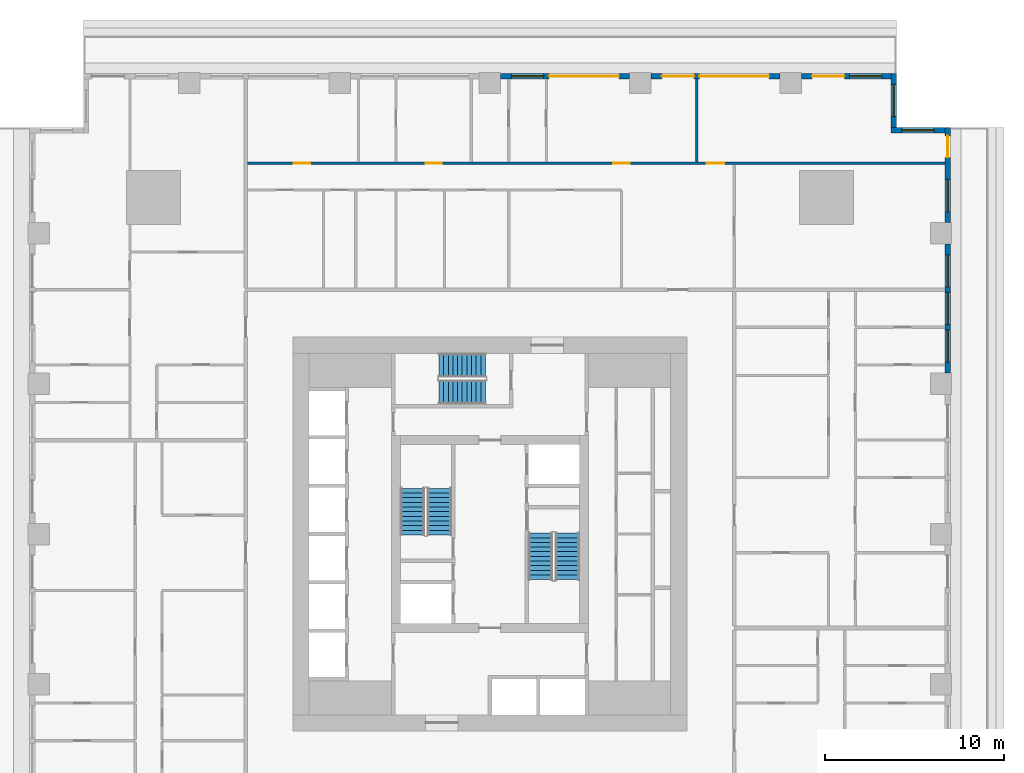
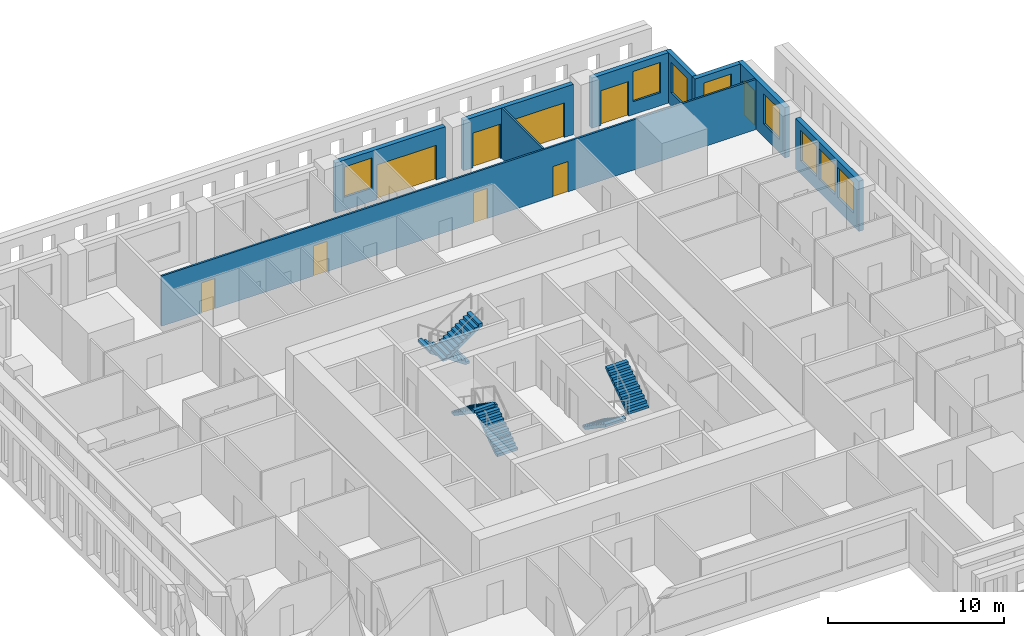
# One storey, part 9 of 14: 9 doors, 9 walls, 8 windows, 6 stair flights, 17 openings, 3 elements without a shape of their own.
"""IFC4 building model written with IfcOpenShell, lengths in metres."""

from ifc_helpers import new_model, si_unit, direction, frame, frame_2d, origin, place, context, subcontext, project, spatial, polyline, rectangle, outline, extrude, material, layer, layer_set, type_object, element, fill, aggregate, save


model = new_model("IFC4")

# Units and contexts
model_context = context("Model", 3, precision=1e-05, world=origin(), true_north=direction((0.0, 1.0)))
body_context = subcontext(model_context, "Body", "Model", "MODEL_VIEW")
ifc_project = project(units=[si_unit("LENGTHUNIT", "METRE"), si_unit("AREAUNIT", "SQUARE_METRE"), si_unit("VOLUMEUNIT", "CUBIC_METRE"), si_unit("PLANEANGLEUNIT", "RADIAN"), si_unit("MASSUNIT", "GRAM", prefix="KILO")], contexts=[model_context])

# Site, building, storey
site_placement = place(None, origin())
site = spatial("IfcSite", under=ifc_project, at=site_placement, CompositionType="ELEMENT")
building_placement = place(site_placement, origin())
building = spatial("IfcBuilding", under=site, at=building_placement, Name="Khepri Terraces", CompositionType="ELEMENT")
storey_placement = place(building_placement, frame((0.0, 0.0, 62.10009765625)))
storey = spatial("IfcBuildingStorey", under=building, at=storey_placement, Name="L14", CompositionType="ELEMENT", Elevation=62.10009765625)

# Wall, openings, windows
ifc_material_1 = material(Name="Precast concrete C50/60 warm stone", Category="masonry")
ifc_layer_1 = layer(ifc_material_1, 0.300048828125, Name="Precast concrete C50/60 warm stone", Category="masonry")
ifc_layer_set_1 = layer_set([ifc_layer_1], Name="Precast concrete C50/60 warm stone")
wall_type_1 = type_object("IfcWallType", Name="WL-EXT-PRECAST-300", PredefinedType="STANDARD", material=ifc_layer_set_1)
wall_1_placement = place(storey_placement, frame((25.570068359375, 9.0, 0.0), z_axis=(0.0, 0.0, 1.0), x_axis=(0.0, 1.0, 0.0)))
wall_1 = element("IfcWall", 1, at=wall_1_placement, inside=storey, type_object=wall_type_1, Name="External wall L14 E", PredefinedType="STANDARD", context=body_context, shape_type="SweptSolid", body=[
    extrude(rectangle(XDim=7.199951171875, YDim=0.300048828125, at=frame_2d((3.60009765625, 0.0))), origin(), (0.0, 0.0, 1.0), 3.47998046875),
])
opening_1_placement = place(wall_1_placement, frame((0.60009765625, 0.0, 0.89990234375)))
opening_1 = element("IfcOpeningElement", 2, at=opening_1_placement, cuts=wall_1, Name="Opening W1", PredefinedType="OPENING", context=body_context, shape_type="SweptSolid", body=[
    extrude(rectangle(XDim=1.800048828125, YDim=2.10009765625, at=frame_2d((0.89990234375, 1.050048828125))), frame((0.0, 0.16015625, 0.0), z_axis=(0.0, -1.0, 0.0), x_axis=(1.0, 0.0, 0.0)), (0.0, 0.0, 1.0), 0.320068359375),
])
opening_2_placement = place(wall_1_placement, frame((2.699951171875, 0.0, 0.89990234375)))
opening_2 = element("IfcOpeningElement", 3, at=opening_2_placement, cuts=wall_1, Name="Opening W1", PredefinedType="OPENING", context=body_context, shape_type="SweptSolid", body=[
    extrude(rectangle(XDim=1.800048828125, YDim=2.10009765625, at=frame_2d((0.89990234375, 1.050048828125))), frame((0.0, 0.16015625, 0.0), z_axis=(0.0, -1.0, 0.0), x_axis=(1.0, 0.0, 0.0)), (0.0, 0.0, 1.0), 0.320068359375),
])
opening_3_placement = place(wall_1_placement, frame((4.800048828125, 0.0, 0.89990234375)))
opening_3 = element("IfcOpeningElement", 4, at=opening_3_placement, cuts=wall_1, Name="Opening W1", PredefinedType="OPENING", context=body_context, shape_type="SweptSolid", body=[
    extrude(rectangle(XDim=1.800048828125, YDim=2.10009765625, at=frame_2d((0.89990234375, 1.050048828125))), frame((0.0, 0.16015625, 0.0), z_axis=(0.0, -1.0, 0.0), x_axis=(1.0, 0.0, 0.0)), (0.0, 0.0, 1.0), 0.320068359375),
])
ifc_material_2 = material(Name="Clear glass", Category="glass")
window_type = type_object("IfcWindowType", Name="WIN-RES-1800x2100", PartitioningType="SINGLE_PANEL", PredefinedType="WINDOW", material=ifc_material_2)
window_1_placement = place(opening_1_placement, origin())
window_1 = element("IfcWindow", 5, at=window_1_placement, inside=storey, type_object=window_type, Name="Window L14 E", OverallHeight=2.10009765625, OverallWidth=1.800048828125, PartitioningType="SINGLE_PANEL", PredefinedType="WINDOW", context=body_context, shape_type="SweptSolid", body=[
    extrude(rectangle(XDim=1.800048828125, YDim=2.10009765625, at=frame_2d((0.89990234375, 1.050048828125))), frame((0.0, 0.030029296875, 0.0), z_axis=(0.0, -1.0, 0.0), x_axis=(1.0, 0.0, 0.0)), (0.0, 0.0, 1.0), 0.06005859375),
])
fill(opening_1, window_1)
window_2_placement = place(opening_2_placement, origin())
window_2 = element("IfcWindow", 6, at=window_2_placement, inside=storey, type_object=window_type, Name="Window L14 E", OverallHeight=2.10009765625, OverallWidth=1.800048828125, PartitioningType="SINGLE_PANEL", PredefinedType="WINDOW", context=body_context, shape_type="SweptSolid", body=[
    extrude(rectangle(XDim=1.800048828125, YDim=2.10009765625, at=frame_2d((0.89990234375, 1.050048828125))), frame((0.0, 0.030029296875, 0.0), z_axis=(0.0, -1.0, 0.0), x_axis=(1.0, 0.0, 0.0)), (0.0, 0.0, 1.0), 0.06005859375),
])
fill(opening_2, window_2)
window_3_placement = place(opening_3_placement, origin())
window_3 = element("IfcWindow", 7, at=window_3_placement, inside=storey, type_object=window_type, Name="Window L14 E", OverallHeight=2.10009765625, OverallWidth=1.800048828125, PartitioningType="SINGLE_PANEL", PredefinedType="WINDOW", context=body_context, shape_type="SweptSolid", body=[
    extrude(rectangle(XDim=1.800048828125, YDim=2.10009765625, at=frame_2d((0.89990234375, 1.050048828125))), frame((0.0, 0.030029296875, 0.0), z_axis=(0.0, -1.0, 0.0), x_axis=(1.0, 0.0, 0.0)), (0.0, 0.0, 1.0), 0.06005859375),
])
fill(opening_3, window_3)

# Wall, openings, door, window
wall_2_placement = place(storey_placement, frame((25.570068359375, 17.39990234375, 0.0), z_axis=(0.0, 0.0, 1.0), x_axis=(0.0, 1.0, 0.0)))
wall_2 = element("IfcWall", 8, at=wall_2_placement, inside=storey, type_object=wall_type_1, Name="External wall L14 E", PredefinedType="STANDARD", context=body_context, shape_type="SweptSolid", body=[
    extrude(rectangle(XDim=5.320068359375, YDim=0.300048828125, at=frame_2d((2.66015625, 0.0))), origin(), (0.0, 0.0, 1.0), 3.47998046875),
])
opening_4_placement = place(wall_2_placement, frame((0.60009765625, 0.0, 0.89990234375)))
opening_4 = element("IfcOpeningElement", 9, at=opening_4_placement, cuts=wall_2, Name="Opening W1", PredefinedType="OPENING", context=body_context, shape_type="SweptSolid", body=[
    extrude(rectangle(XDim=1.800048828125, YDim=2.10009765625, at=frame_2d((0.89990234375, 1.050048828125))), frame((0.0, 0.16015625, 0.0), z_axis=(0.0, -1.0, 0.0), x_axis=(1.0, 0.0, 0.0)), (0.0, 0.0, 1.0), 0.320068359375),
])
opening_5_placement = place(wall_2_placement, frame((3.64501953125, 0.0, 0.0)))
opening_5 = element("IfcOpeningElement", 10, at=opening_5_placement, cuts=wall_2, Name="Opening ED-L14-06", PredefinedType="OPENING", context=body_context, shape_type="SweptSolid", body=[
    extrude(rectangle(XDim=1.199951171875, YDim=2.39990234375, at=frame_2d((0.60009765625, 1.199951171875))), frame((0.0, 0.16015625, 0.0), z_axis=(0.0, -1.0, 0.0), x_axis=(1.0, 0.0, 0.0)), (0.0, 0.0, 1.0), 0.320068359375),
])
ifc_material_3 = material(Name="Anodised aluminium bronze glazed door", Category="aluminium")
door_type_1 = type_object("IfcDoorType", Name="DR-BAL-SLIDE-1200x2400", OperationType="NOTDEFINED", PredefinedType="DOOR", material=ifc_material_3)
door_1_placement = place(opening_5_placement, origin())
door_1 = element("IfcDoor", 11, at=door_1_placement, inside=storey, type_object=door_type_1, Name="Balcony door L14 E", OperationType="SLIDING_TO_RIGHT", OverallHeight=2.39990234375, OverallWidth=1.199951171875, PredefinedType="DOOR", context=body_context, shape_type="SweptSolid", body=[
    extrude(rectangle(XDim=1.199951171875, YDim=2.39990234375, at=frame_2d((0.60009765625, 1.199951171875))), frame((0.0, 0.02490234375, 0.0), z_axis=(0.0, -1.0, 0.0), x_axis=(1.0, 0.0, 0.0)), (0.0, 0.0, 1.0), 0.050048828125),
])
fill(opening_5, door_1)
window_4_placement = place(opening_4_placement, origin())
window_4 = element("IfcWindow", 12, at=window_4_placement, inside=storey, type_object=window_type, Name="Window L14 E", OverallHeight=2.10009765625, OverallWidth=1.800048828125, PartitioningType="SINGLE_PANEL", PredefinedType="WINDOW", context=body_context, shape_type="SweptSolid", body=[
    extrude(rectangle(XDim=1.800048828125, YDim=2.10009765625, at=frame_2d((0.89990234375, 1.050048828125))), frame((0.0, 0.030029296875, 0.0), z_axis=(0.0, -1.0, 0.0), x_axis=(1.0, 0.0, 0.0)), (0.0, 0.0, 1.0), 0.06005859375),
])
fill(opening_4, window_4)

# Wall, opening, window
wall_3_placement = place(storey_placement, frame((25.419921875, 22.570068359375, 0.0), z_axis=(0.0, 0.0, 1.0), x_axis=(-1.0, 0.0, 0.0)))
wall_3 = element("IfcWall", 13, at=wall_3_placement, inside=storey, type_object=wall_type_1, Name="External wall L14 N", PredefinedType="STANDARD", context=body_context, shape_type="SweptSolid", body=[
    extrude(rectangle(XDim=3.0, YDim=0.300048828125, at=frame_2d((1.5, 0.0))), origin(), (0.0, 0.0, 1.0), 3.47998046875),
])
opening_6_placement = place(wall_3_placement, frame((0.60009765625, 0.0, 0.89990234375)))
opening_6 = element("IfcOpeningElement", 14, at=opening_6_placement, cuts=wall_3, Name="Opening W1", PredefinedType="OPENING", context=body_context, shape_type="SweptSolid", body=[
    extrude(rectangle(XDim=1.800048828125, YDim=2.10009765625, at=frame_2d((0.89990234375, 1.050048828125))), frame((0.0, 0.16015625, 0.0), z_axis=(0.0, -1.0, 0.0), x_axis=(1.0, 0.0, 0.0)), (0.0, 0.0, 1.0), 0.320068359375),
])
window_5_placement = place(opening_6_placement, origin())
window_5 = element("IfcWindow", 15, at=window_5_placement, inside=storey, type_object=window_type, Name="Window L14 N", OverallHeight=2.10009765625, OverallWidth=1.800048828125, PartitioningType="SINGLE_PANEL", PredefinedType="WINDOW", context=body_context, shape_type="SweptSolid", body=[
    extrude(rectangle(XDim=1.800048828125, YDim=2.10009765625, at=frame_2d((0.89990234375, 1.050048828125))), frame((0.0, 0.030029296875, 0.0), z_axis=(0.0, -1.0, 0.0), x_axis=(1.0, 0.0, 0.0)), (0.0, 0.0, 1.0), 0.06005859375),
])
fill(opening_6, window_5)

wall_4_placement = place(storey_placement, frame((22.570068359375, 22.719970703125, 0.0), z_axis=(0.0, 0.0, 1.0), x_axis=(0.0, 1.0, 0.0)))
wall_4 = element("IfcWall", 16, at=wall_4_placement, inside=storey, type_object=wall_type_1, Name="External wall L14 E", PredefinedType="STANDARD", context=body_context, shape_type="SweptSolid", body=[
    extrude(rectangle(XDim=3.0, YDim=0.300048828125, at=frame_2d((1.5, 0.0))), origin(), (0.0, 0.0, 1.0), 3.47998046875),
])
opening_7_placement = place(wall_4_placement, frame((0.60009765625, 0.0, 0.89990234375)))
opening_7 = element("IfcOpeningElement", 17, at=opening_7_placement, cuts=wall_4, Name="Opening W1", PredefinedType="OPENING", context=body_context, shape_type="SweptSolid", body=[
    extrude(rectangle(XDim=1.800048828125, YDim=2.10009765625, at=frame_2d((0.89990234375, 1.050048828125))), frame((0.0, 0.16015625, 0.0), z_axis=(0.0, -1.0, 0.0), x_axis=(1.0, 0.0, 0.0)), (0.0, 0.0, 1.0), 0.320068359375),
])
window_6_placement = place(opening_7_placement, origin())
window_6 = element("IfcWindow", 18, at=window_6_placement, inside=storey, type_object=window_type, Name="Window L14 E", OverallHeight=2.10009765625, OverallWidth=1.800048828125, PartitioningType="SINGLE_PANEL", PredefinedType="WINDOW", context=body_context, shape_type="SweptSolid", body=[
    extrude(rectangle(XDim=1.800048828125, YDim=2.10009765625, at=frame_2d((0.89990234375, 1.050048828125))), frame((0.0, 0.030029296875, 0.0), z_axis=(0.0, -1.0, 0.0), x_axis=(1.0, 0.0, 0.0)), (0.0, 0.0, 1.0), 0.06005859375),
])
fill(opening_7, window_6)

# Wall, openings, door, window
wall_5_placement = place(storey_placement, frame((22.419921875, 25.570068359375, 0.0), z_axis=(0.0, 0.0, 1.0), x_axis=(-1.0, 0.0, 0.0)))
wall_5 = element("IfcWall", 19, at=wall_5_placement, inside=storey, type_object=wall_type_1, Name="External wall L14 N", PredefinedType="STANDARD", context=body_context, shape_type="SweptSolid", body=[
    extrude(rectangle(XDim=5.02001953125, YDim=0.300048828125, at=frame_2d((2.510009765625, 0.0))), origin(), (0.0, 0.0, 1.0), 3.47998046875),
])
opening_8_placement = place(wall_5_placement, frame((0.52001953125, 0.0, 0.89990234375)))
opening_8 = element("IfcOpeningElement", 20, at=opening_8_placement, cuts=wall_5, Name="Opening W1", PredefinedType="OPENING", context=body_context, shape_type="SweptSolid", body=[
    extrude(rectangle(XDim=1.800048828125, YDim=2.10009765625, at=frame_2d((0.89990234375, 1.050048828125))), frame((0.0, 0.16015625, 0.0), z_axis=(0.0, -1.0, 0.0), x_axis=(1.0, 0.0, 0.0)), (0.0, 0.0, 1.0), 0.320068359375),
])
opening_9_placement = place(wall_5_placement, frame((2.6201171875, 0.0, 0.0)))
opening_9 = element("IfcOpeningElement", 21, at=opening_9_placement, cuts=wall_5, Name="Opening ED-L14-07", PredefinedType="OPENING", context=body_context, shape_type="SweptSolid", body=[
    extrude(rectangle(XDim=1.800048828125, YDim=2.39990234375, at=frame_2d((0.89990234375, 1.199951171875))), frame((0.0, 0.16015625, 0.0), z_axis=(0.0, -1.0, 0.0), x_axis=(1.0, 0.0, 0.0)), (0.0, 0.0, 1.0), 0.320068359375),
])
door_type_2 = type_object("IfcDoorType", Name="DR-BAL-SLIDE-1800x2400", OperationType="NOTDEFINED", PredefinedType="DOOR", material=ifc_material_3)
door_2_placement = place(opening_9_placement, origin())
door_2 = element("IfcDoor", 22, at=door_2_placement, inside=storey, type_object=door_type_2, Name="Balcony door L14 N", OperationType="SLIDING_TO_RIGHT", OverallHeight=2.39990234375, OverallWidth=1.800048828125, PredefinedType="DOOR", context=body_context, shape_type="SweptSolid", body=[
    extrude(rectangle(XDim=1.800048828125, YDim=2.39990234375, at=frame_2d((0.89990234375, 1.199951171875))), frame((0.0, 0.02490234375, 0.0), z_axis=(0.0, -1.0, 0.0), x_axis=(1.0, 0.0, 0.0)), (0.0, 0.0, 1.0), 0.050048828125),
])
fill(opening_9, door_2)
window_7_placement = place(opening_8_placement, origin())
window_7 = element("IfcWindow", 23, at=window_7_placement, inside=storey, type_object=window_type, Name="Window L14 N", OverallHeight=2.10009765625, OverallWidth=1.800048828125, PartitioningType="SINGLE_PANEL", PredefinedType="WINDOW", context=body_context, shape_type="SweptSolid", body=[
    extrude(rectangle(XDim=1.800048828125, YDim=2.10009765625, at=frame_2d((0.89990234375, 1.050048828125))), frame((0.0, 0.030029296875, 0.0), z_axis=(0.0, -1.0, 0.0), x_axis=(1.0, 0.0, 0.0)), (0.0, 0.0, 1.0), 0.06005859375),
])
fill(opening_8, window_7)

# Wall, openings, doors
wall_6_placement = place(storey_placement, frame((16.199951171875, 25.570068359375, 0.0), z_axis=(0.0, 0.0, 1.0), x_axis=(-1.0, 0.0, 0.0)))
wall_6 = element("IfcWall", 24, at=wall_6_placement, inside=storey, type_object=wall_type_1, Name="External wall L14 N", PredefinedType="STANDARD", context=body_context, shape_type="SweptSolid", body=[
    extrude(rectangle(XDim=7.199951171875, YDim=0.300048828125, at=frame_2d((3.60009765625, 0.0))), origin(), (0.0, 0.0, 1.0), 3.47998046875),
])
opening_10_placement = place(wall_6_placement, frame((0.60009765625, 0.0, 0.0)))
opening_10 = element("IfcOpeningElement", 25, at=opening_10_placement, cuts=wall_6, Name="Opening ED-L14-08", PredefinedType="OPENING", context=body_context, shape_type="SweptSolid", body=[
    extrude(rectangle(XDim=3.89990234375, YDim=2.39990234375, at=frame_2d((1.949951171875, 1.199951171875))), frame((0.0, 0.16015625, 0.0), z_axis=(0.0, -1.0, 0.0), x_axis=(1.0, 0.0, 0.0)), (0.0, 0.0, 1.0), 0.320068359375),
])
opening_11_placement = place(wall_6_placement, frame((4.800048828125, 0.0, 0.0)))
opening_11 = element("IfcOpeningElement", 26, at=opening_11_placement, cuts=wall_6, Name="Opening ED-L14-09", PredefinedType="OPENING", context=body_context, shape_type="SweptSolid", body=[
    extrude(rectangle(XDim=1.800048828125, YDim=2.39990234375, at=frame_2d((0.89990234375, 1.199951171875))), frame((0.0, 0.16015625, 0.0), z_axis=(0.0, -1.0, 0.0), x_axis=(1.0, 0.0, 0.0)), (0.0, 0.0, 1.0), 0.320068359375),
])
door_3_placement = place(opening_11_placement, origin())
door_3 = element("IfcDoor", 27, at=door_3_placement, inside=storey, type_object=door_type_2, Name="Balcony door L14 N", OperationType="SLIDING_TO_RIGHT", OverallHeight=2.39990234375, OverallWidth=1.800048828125, PredefinedType="DOOR", context=body_context, shape_type="SweptSolid", body=[
    extrude(rectangle(XDim=1.800048828125, YDim=2.39990234375, at=frame_2d((0.89990234375, 1.199951171875))), frame((0.0, 0.02490234375, 0.0), z_axis=(0.0, -1.0, 0.0), x_axis=(1.0, 0.0, 0.0)), (0.0, 0.0, 1.0), 0.050048828125),
])
fill(opening_11, door_3)
door_type_3 = type_object("IfcDoorType", Name="DR-BAL-SLIDE-3900x2400", OperationType="NOTDEFINED", PredefinedType="DOOR", material=ifc_material_3)
door_4_placement = place(opening_10_placement, origin())
door_4 = element("IfcDoor", 28, at=door_4_placement, inside=storey, type_object=door_type_3, Name="Balcony door L14 N", OperationType="SLIDING_TO_LEFT", OverallHeight=2.39990234375, OverallWidth=3.89990234375, PredefinedType="DOOR", context=body_context, shape_type="SweptSolid", body=[
    extrude(rectangle(XDim=3.89990234375, YDim=2.39990234375, at=frame_2d((1.949951171875, 1.199951171875))), frame((0.0, 0.02490234375, 0.0), z_axis=(0.0, -1.0, 0.0), x_axis=(1.0, 0.0, 0.0)), (0.0, 0.0, 1.0), 0.050048828125),
])
fill(opening_10, door_4)

# Wall, openings, door, window
wall_7_placement = place(storey_placement, frame((7.800048828125, 25.570068359375, 0.0), z_axis=(0.0, 0.0, 1.0), x_axis=(-1.0, 0.0, 0.0)))
wall_7 = element("IfcWall", 29, at=wall_7_placement, inside=storey, type_object=wall_type_1, Name="External wall L14 N", PredefinedType="STANDARD", context=body_context, shape_type="SweptSolid", body=[
    extrude(rectangle(XDim=7.199951171875, YDim=0.300048828125, at=frame_2d((3.60009765625, 0.0))), origin(), (0.0, 0.0, 1.0), 3.47998046875),
])
opening_12_placement = place(wall_7_placement, frame((0.60009765625, 0.0, 0.0)))
opening_12 = element("IfcOpeningElement", 30, at=opening_12_placement, cuts=wall_7, Name="Opening ED-L14-10", PredefinedType="OPENING", context=body_context, shape_type="SweptSolid", body=[
    extrude(rectangle(XDim=3.89990234375, YDim=2.39990234375, at=frame_2d((1.949951171875, 1.199951171875))), frame((0.0, 0.16015625, 0.0), z_axis=(0.0, -1.0, 0.0), x_axis=(1.0, 0.0, 0.0)), (0.0, 0.0, 1.0), 0.320068359375),
])
opening_13_placement = place(wall_7_placement, frame((4.800048828125, 0.0, 0.89990234375)))
opening_13 = element("IfcOpeningElement", 31, at=opening_13_placement, cuts=wall_7, Name="Opening W1", PredefinedType="OPENING", context=body_context, shape_type="SweptSolid", body=[
    extrude(rectangle(XDim=1.800048828125, YDim=2.10009765625, at=frame_2d((0.89990234375, 1.050048828125))), frame((0.0, 0.16015625, 0.0), z_axis=(0.0, -1.0, 0.0), x_axis=(1.0, 0.0, 0.0)), (0.0, 0.0, 1.0), 0.320068359375),
])
door_5_placement = place(opening_12_placement, origin())
door_5 = element("IfcDoor", 32, at=door_5_placement, inside=storey, type_object=door_type_3, Name="Balcony door L14 N", OperationType="SLIDING_TO_LEFT", OverallHeight=2.39990234375, OverallWidth=3.89990234375, PredefinedType="DOOR", context=body_context, shape_type="SweptSolid", body=[
    extrude(rectangle(XDim=3.89990234375, YDim=2.39990234375, at=frame_2d((1.949951171875, 1.199951171875))), frame((0.0, 0.02490234375, 0.0), z_axis=(0.0, -1.0, 0.0), x_axis=(1.0, 0.0, 0.0)), (0.0, 0.0, 1.0), 0.050048828125),
])
fill(opening_12, door_5)
window_8_placement = place(opening_13_placement, origin())
window_8 = element("IfcWindow", 33, at=window_8_placement, inside=storey, type_object=window_type, Name="Window L14 N", OverallHeight=2.10009765625, OverallWidth=1.800048828125, PartitioningType="SINGLE_PANEL", PredefinedType="WINDOW", context=body_context, shape_type="SweptSolid", body=[
    extrude(rectangle(XDim=1.800048828125, YDim=2.10009765625, at=frame_2d((0.89990234375, 1.050048828125))), frame((0.0, 0.030029296875, 0.0), z_axis=(0.0, -1.0, 0.0), x_axis=(1.0, 0.0, 0.0)), (0.0, 0.0, 1.0), 0.06005859375),
])
fill(opening_13, window_8)

# Wall, openings, doors
ifc_material_4 = material(Name="Gypsum plasterboard partition")
ifc_layer_2 = layer(ifc_material_4, 0.1201171875, Name="Gypsum plasterboard partition")
ifc_layer_set_2 = layer_set([ifc_layer_2], Name="Gypsum plasterboard partition")
wall_type_2 = type_object("IfcWallType", Name="WL-PART-120", PredefinedType="PARTITIONING", material=ifc_layer_set_2)
wall_8_placement = place(storey_placement, frame((-13.550048828125, 20.719970703125, 0.0), z_axis=(0.0, 0.0, 1.0), x_axis=(1.0, 0.0, 0.0)))
wall_8 = element("IfcWall", 34, at=wall_8_placement, inside=storey, type_object=wall_type_2, Name="Partition P-093 L14", PredefinedType="PARTITIONING", context=body_context, shape_type="SweptSolid", body=[
    extrude(rectangle(XDim=38.969970703125, YDim=0.1201171875, at=frame_2d((19.48486328125, 0.0))), origin(), (0.0, 0.0, 1.0), 3.47998046875),
])
opening_14_placement = place(wall_8_placement, frame((25.64990234375, 0.0, 0.0)))
opening_14 = element("IfcOpeningElement", 35, at=opening_14_placement, cuts=wall_8, Name="Opening D2", PredefinedType="OPENING", context=body_context, shape_type="SweptSolid", body=[
    extrude(rectangle(XDim=1.0, YDim=2.10009765625, at=frame_2d((0.5, 1.050048828125))), frame((0.0, 0.070068359375, 0.0), z_axis=(0.0, -1.0, 0.0), x_axis=(1.0, 0.0, 0.0)), (0.0, 0.0, 1.0), 0.14013671875),
])
opening_15_placement = place(wall_8_placement, frame((20.449951171875, 0.0, 0.0)))
opening_15 = element("IfcOpeningElement", 36, at=opening_15_placement, cuts=wall_8, Name="Opening D3", PredefinedType="OPENING", context=body_context, shape_type="SweptSolid", body=[
    extrude(rectangle(XDim=0.89990234375, YDim=2.10009765625, at=frame_2d((0.449951171875, 1.050048828125))), frame((0.0, 0.070068359375, 0.0), z_axis=(0.0, -1.0, 0.0), x_axis=(1.0, 0.0, 0.0)), (0.0, 0.0, 1.0), 0.14013671875),
])
opening_16_placement = place(wall_8_placement, frame((9.949951171875, 0.0, 0.0)))
opening_16 = element("IfcOpeningElement", 37, at=opening_16_placement, cuts=wall_8, Name="Opening D3", PredefinedType="OPENING", context=body_context, shape_type="SweptSolid", body=[
    extrude(rectangle(XDim=0.89990234375, YDim=2.10009765625, at=frame_2d((0.449951171875, 1.050048828125))), frame((0.0, 0.070068359375, 0.0), z_axis=(0.0, -1.0, 0.0), x_axis=(1.0, 0.0, 0.0)), (0.0, 0.0, 1.0), 0.14013671875),
])
opening_17_placement = place(wall_8_placement, frame((2.60009765625, 0.0, 0.0)))
opening_17 = element("IfcOpeningElement", 38, at=opening_17_placement, cuts=wall_8, Name="Opening D3", PredefinedType="OPENING", context=body_context, shape_type="SweptSolid", body=[
    extrude(rectangle(XDim=0.89990234375, YDim=2.10009765625, at=frame_2d((0.449951171875, 1.050048828125))), frame((0.0, 0.070068359375, 0.0), z_axis=(0.0, -1.0, 0.0), x_axis=(1.0, 0.0, 0.0)), (0.0, 0.0, 1.0), 0.14013671875),
])
ifc_material_5 = material(Name="Timber door leaf, living room door", Category="wood")
door_type_4 = type_object("IfcDoorType", Name="DR-INT-1000", OperationType="NOTDEFINED", PredefinedType="DOOR", material=ifc_material_5)
door_6_placement = place(opening_14_placement, origin())
door_6 = element("IfcDoor", 39, at=door_6_placement, inside=storey, type_object=door_type_4, Name="Door Living Room", OperationType="SINGLE_SWING_RIGHT", OverallHeight=2.10009765625, OverallWidth=1.0, PredefinedType="DOOR", context=body_context, shape_type="SweptSolid", body=[
    extrude(rectangle(XDim=1.0, YDim=2.10009765625, at=frame_2d((0.5, 1.050048828125))), frame((0.0, 0.02490234375, 0.0), z_axis=(0.0, -1.0, 0.0), x_axis=(1.0, 0.0, 0.0)), (0.0, 0.0, 1.0), 0.050048828125),
])
fill(opening_14, door_6)
ifc_material_6 = material(Name="Timber door leaf", Category="wood")
door_type_5 = type_object("IfcDoorType", Name="DR-INT-900", OperationType="NOTDEFINED", PredefinedType="DOOR", material=ifc_material_6)
door_7_placement = place(opening_15_placement, origin())
door_7 = element("IfcDoor", 40, at=door_7_placement, inside=storey, type_object=door_type_5, Name="Door Master Bedroom", OperationType="SINGLE_SWING_RIGHT", OverallHeight=2.10009765625, OverallWidth=0.89990234375, PredefinedType="DOOR", context=body_context, shape_type="SweptSolid", body=[
    extrude(rectangle(XDim=0.89990234375, YDim=2.10009765625, at=frame_2d((0.449951171875, 1.050048828125))), frame((0.0, 0.02490234375, 0.0), z_axis=(0.0, -1.0, 0.0), x_axis=(1.0, 0.0, 0.0)), (0.0, 0.0, 1.0), 0.050048828125),
])
fill(opening_15, door_7)
door_8_placement = place(opening_16_placement, origin())
door_8 = element("IfcDoor", 41, at=door_8_placement, inside=storey, type_object=door_type_5, Name="Door Bedroom", OperationType="SINGLE_SWING_LEFT", OverallHeight=2.10009765625, OverallWidth=0.89990234375, PredefinedType="DOOR", context=body_context, shape_type="SweptSolid", body=[
    extrude(rectangle(XDim=0.89990234375, YDim=2.10009765625, at=frame_2d((0.449951171875, 1.050048828125))), frame((0.0, 0.02490234375, 0.0), z_axis=(0.0, -1.0, 0.0), x_axis=(1.0, 0.0, 0.0)), (0.0, 0.0, 1.0), 0.050048828125),
])
fill(opening_16, door_8)
door_9_placement = place(opening_17_placement, origin())
door_9 = element("IfcDoor", 42, at=door_9_placement, inside=storey, type_object=door_type_5, Name="Door Home Gym", OperationType="SINGLE_SWING_LEFT", OverallHeight=2.10009765625, OverallWidth=0.89990234375, PredefinedType="DOOR", context=body_context, shape_type="SweptSolid", body=[
    extrude(rectangle(XDim=0.89990234375, YDim=2.10009765625, at=frame_2d((0.449951171875, 1.050048828125))), frame((0.0, 0.02490234375, 0.0), z_axis=(0.0, -1.0, 0.0), x_axis=(1.0, 0.0, 0.0)), (0.0, 0.0, 1.0), 0.050048828125),
])
fill(opening_17, door_9)

# Wall
wall_9_placement = place(storey_placement, frame((11.550048828125, 20.780029296875, 0.0), z_axis=(0.0, 0.0, 1.0), x_axis=(0.0, 1.0, 0.0)))
element("IfcWall", 43, at=wall_9_placement, inside=storey, type_object=wall_type_2, Name="Partition P-099 L14", PredefinedType="PARTITIONING", context=body_context, shape_type="SweptSolid", body=[
    extrude(rectangle(XDim=4.639892578125, YDim=0.1201171875, at=frame_2d((2.31982421875, 0.0))), origin(), (0.0, 0.0, 1.0), 3.47998046875),
])

# Stair, stair flights
ifc_material_7 = material(Name="Concrete C40/50", Category="concrete")
stair_type = type_object("IfcStairType", Name="STAIR-RC-22R", PredefinedType="HALF_TURN_STAIR", material=ifc_material_7)
stair_1_placement = place(storey_placement, origin())
stair_1 = element("IfcStair", 44, at=stair_1_placement, inside=storey, type_object=stair_type, Name="L14 Exit Stair ST-1", PredefinedType="HALF_TURN_STAIR")
stair_flight_type = type_object("IfcStairFlightType", Name="SFL-RC-177.3", PredefinedType="STRAIGHT", material=ifc_material_7)
stair_flight_1_placement = place(storey_placement, frame((-2.824951171875, -0.050048828125, 0.0), z_axis=(0.0, 0.0, 1.0), x_axis=(0.0, 1.0, 0.0)))
stair_flight_1 = element("IfcStairFlight", 45, at=stair_flight_1_placement, type_object=stair_flight_type, Name="ST-1 flight 1", NumberOfRisers=11, NumberOfTreads=10, PredefinedType="STRAIGHT", RiserHeight=0.177272727, TreadLength=0.26, context=body_context, shape_type="SweptSolid", body=[
    extrude(outline(polyline([(0.0, 0.0), (0.0, 0.17724609375), (0.260009765625, 0.17724609375), (0.260009765625, 0.3544921875), (0.52001953125, 0.3544921875), (0.52001953125, 0.53173828125), (0.780029296875, 0.53173828125), (0.780029296875, 0.708984375), (1.0400390625, 0.708984375), (1.0400390625, 0.886474609375), (1.300048828125, 0.886474609375), (1.300048828125, 1.063720703125), (1.56005859375, 1.063720703125), (1.56005859375, 1.240966796875), (1.820068359375, 1.240966796875), (1.820068359375, 1.418212890625), (2.080078125, 1.418212890625), (2.080078125, 1.595458984375), (2.340087890625, 1.595458984375), (2.340087890625, 1.772705078125), (2.60009765625, 1.772705078125), (2.60009765625, 1.949951171875), (2.60009765625, 1.59130859375), (0.26611328125, 0.0), (0.0, 0.0)])), frame((0.0, 0.675048828125, 0.0), z_axis=(0.0, -1.0, 0.0), x_axis=(1.0, 0.0, 0.0)), (0.0, 0.0, 1.0), 1.35009765625),
])
stair_flight_2_placement = place(storey_placement, frame((-4.324951171875, 2.550048828125, 1.949951171875), z_axis=(0.0, 0.0, 1.0), x_axis=(0.0, -1.0, 0.0)))
stair_flight_2 = element("IfcStairFlight", 46, at=stair_flight_2_placement, type_object=stair_flight_type, Name="ST-1 flight 2", NumberOfRisers=11, NumberOfTreads=10, PredefinedType="STRAIGHT", RiserHeight=0.177272727, TreadLength=0.26, context=body_context, shape_type="SweptSolid", body=[
    extrude(outline(polyline([(0.0, 0.0), (0.0, 0.17724609375), (0.260009765625, 0.17724609375), (0.260009765625, 0.3544921875), (0.52001953125, 0.3544921875), (0.52001953125, 0.53173828125), (0.780029296875, 0.53173828125), (0.780029296875, 0.708984375), (1.0400390625, 0.708984375), (1.0400390625, 0.886474609375), (1.300048828125, 0.886474609375), (1.300048828125, 1.063720703125), (1.56005859375, 1.063720703125), (1.56005859375, 1.240966796875), (1.820068359375, 1.240966796875), (1.820068359375, 1.418212890625), (2.080078125, 1.418212890625), (2.080078125, 1.595458984375), (2.340087890625, 1.595458984375), (2.340087890625, 1.772705078125), (2.60009765625, 1.772705078125), (2.60009765625, 1.949951171875), (2.60009765625, 1.59130859375), (0.26611328125, 0.0), (0.0, 0.0)])), frame((0.0, 0.675048828125, 0.0), z_axis=(0.0, -1.0, 0.0), x_axis=(1.0, 0.0, 0.0)), (0.0, 0.0, 1.0), 1.35009765625),
])
aggregate(stair_1, [stair_flight_1, stair_flight_2])

stair_2_placement = place(storey_placement, origin())
stair_2 = element("IfcStair", 47, at=stair_2_placement, inside=storey, type_object=stair_type, Name="L14 Exit Stair ST-2", PredefinedType="HALF_TURN_STAIR")
stair_flight_3_placement = place(storey_placement, frame((2.824951171875, 0.050048828125, 0.0), z_axis=(0.0, 0.0, 1.0), x_axis=(0.0, -1.0, 0.0)))
stair_flight_3 = element("IfcStairFlight", 48, at=stair_flight_3_placement, type_object=stair_flight_type, Name="ST-2 flight 1", NumberOfRisers=11, NumberOfTreads=10, PredefinedType="STRAIGHT", RiserHeight=0.177272727, TreadLength=0.26, context=body_context, shape_type="SweptSolid", body=[
    extrude(outline(polyline([(0.0, 0.0), (0.0, 0.17724609375), (0.260009765625, 0.17724609375), (0.260009765625, 0.3544921875), (0.52001953125, 0.3544921875), (0.52001953125, 0.53173828125), (0.780029296875, 0.53173828125), (0.780029296875, 0.708984375), (1.0400390625, 0.708984375), (1.0400390625, 0.886474609375), (1.300048828125, 0.886474609375), (1.300048828125, 1.063720703125), (1.56005859375, 1.063720703125), (1.56005859375, 1.240966796875), (1.820068359375, 1.240966796875), (1.820068359375, 1.418212890625), (2.080078125, 1.418212890625), (2.080078125, 1.595458984375), (2.340087890625, 1.595458984375), (2.340087890625, 1.772705078125), (2.60009765625, 1.772705078125), (2.60009765625, 1.949951171875), (2.60009765625, 1.59130859375), (0.26611328125, 0.0), (0.0, 0.0)])), frame((0.0, 0.675048828125, 0.0), z_axis=(0.0, -1.0, 0.0), x_axis=(1.0, 0.0, 0.0)), (0.0, 0.0, 1.0), 1.35009765625),
])
stair_flight_4_placement = place(storey_placement, frame((4.324951171875, -2.550048828125, 1.949951171875), z_axis=(0.0, 0.0, 1.0), x_axis=(0.0, 1.0, 0.0)))
stair_flight_4 = element("IfcStairFlight", 49, at=stair_flight_4_placement, type_object=stair_flight_type, Name="ST-2 flight 2", NumberOfRisers=11, NumberOfTreads=10, PredefinedType="STRAIGHT", RiserHeight=0.177272727, TreadLength=0.26, context=body_context, shape_type="SweptSolid", body=[
    extrude(outline(polyline([(0.0, 0.0), (0.0, 0.17724609375), (0.260009765625, 0.17724609375), (0.260009765625, 0.3544921875), (0.52001953125, 0.3544921875), (0.52001953125, 0.53173828125), (0.780029296875, 0.53173828125), (0.780029296875, 0.708984375), (1.0400390625, 0.708984375), (1.0400390625, 0.886474609375), (1.300048828125, 0.886474609375), (1.300048828125, 1.063720703125), (1.56005859375, 1.063720703125), (1.56005859375, 1.240966796875), (1.820068359375, 1.240966796875), (1.820068359375, 1.418212890625), (2.080078125, 1.418212890625), (2.080078125, 1.595458984375), (2.340087890625, 1.595458984375), (2.340087890625, 1.772705078125), (2.60009765625, 1.772705078125), (2.60009765625, 1.949951171875), (2.60009765625, 1.59130859375), (0.26611328125, 0.0), (0.0, 0.0)])), frame((0.0, 0.675048828125, 0.0), z_axis=(0.0, -1.0, 0.0), x_axis=(1.0, 0.0, 0.0)), (0.0, 0.0, 1.0), 1.35009765625),
])
aggregate(stair_2, [stair_flight_3, stair_flight_4])

stair_3_placement = place(storey_placement, origin())
stair_3 = element("IfcStair", 50, at=stair_3_placement, inside=storey, type_object=stair_type, Name="L14 Exit Stair ST-3", PredefinedType="HALF_TURN_STAIR")
stair_flight_5_placement = place(storey_placement, frame((-0.25, 9.425048828125, 0.0), z_axis=(0.0, 0.0, 1.0), x_axis=(-1.0, 0.0, 0.0)))
stair_flight_5 = element("IfcStairFlight", 51, at=stair_flight_5_placement, type_object=stair_flight_type, Name="ST-3 flight 1", NumberOfRisers=11, NumberOfTreads=10, PredefinedType="STRAIGHT", RiserHeight=0.177272727, TreadLength=0.26, context=body_context, shape_type="SweptSolid", body=[
    extrude(outline(polyline([(0.0, 0.0), (0.0, 0.17724609375), (0.260009765625, 0.17724609375), (0.260009765625, 0.3544921875), (0.52001953125, 0.3544921875), (0.52001953125, 0.53173828125), (0.780029296875, 0.53173828125), (0.780029296875, 0.708984375), (1.0400390625, 0.708984375), (1.0400390625, 0.886474609375), (1.300048828125, 0.886474609375), (1.300048828125, 1.063720703125), (1.56005859375, 1.063720703125), (1.56005859375, 1.240966796875), (1.820068359375, 1.240966796875), (1.820068359375, 1.418212890625), (2.080078125, 1.418212890625), (2.080078125, 1.595458984375), (2.340087890625, 1.595458984375), (2.340087890625, 1.772705078125), (2.60009765625, 1.772705078125), (2.60009765625, 1.949951171875), (2.60009765625, 1.59130859375), (0.26611328125, 0.0), (0.0, 0.0)])), frame((0.0, 0.675048828125, 0.0), z_axis=(0.0, -1.0, 0.0), x_axis=(1.0, 0.0, 0.0)), (0.0, 0.0, 1.0), 1.35009765625),
])
stair_flight_6_placement = place(storey_placement, frame((-2.85009765625, 7.925048828125, 1.949951171875), z_axis=(0.0, 0.0, 1.0), x_axis=(1.0, 0.0, 0.0)))
stair_flight_6 = element("IfcStairFlight", 52, at=stair_flight_6_placement, type_object=stair_flight_type, Name="ST-3 flight 2", NumberOfRisers=11, NumberOfTreads=10, PredefinedType="STRAIGHT", RiserHeight=0.177272727, TreadLength=0.26, context=body_context, shape_type="SweptSolid", body=[
    extrude(outline(polyline([(0.0, 0.0), (0.0, 0.17724609375), (0.260009765625, 0.17724609375), (0.260009765625, 0.3544921875), (0.52001953125, 0.3544921875), (0.52001953125, 0.53173828125), (0.780029296875, 0.53173828125), (0.780029296875, 0.708984375), (1.0400390625, 0.708984375), (1.0400390625, 0.886474609375), (1.300048828125, 0.886474609375), (1.300048828125, 1.063720703125), (1.56005859375, 1.063720703125), (1.56005859375, 1.240966796875), (1.820068359375, 1.240966796875), (1.820068359375, 1.418212890625), (2.080078125, 1.418212890625), (2.080078125, 1.595458984375), (2.340087890625, 1.595458984375), (2.340087890625, 1.772705078125), (2.60009765625, 1.772705078125), (2.60009765625, 1.949951171875), (2.60009765625, 1.59130859375), (0.26611328125, 0.0), (0.0, 0.0)])), frame((0.0, 0.675048828125, 0.0), z_axis=(0.0, -1.0, 0.0), x_axis=(1.0, 0.0, 0.0)), (0.0, 0.0, 1.0), 1.35009765625),
])
aggregate(stair_3, [stair_flight_5, stair_flight_6])

save(model, "model.ifc")
